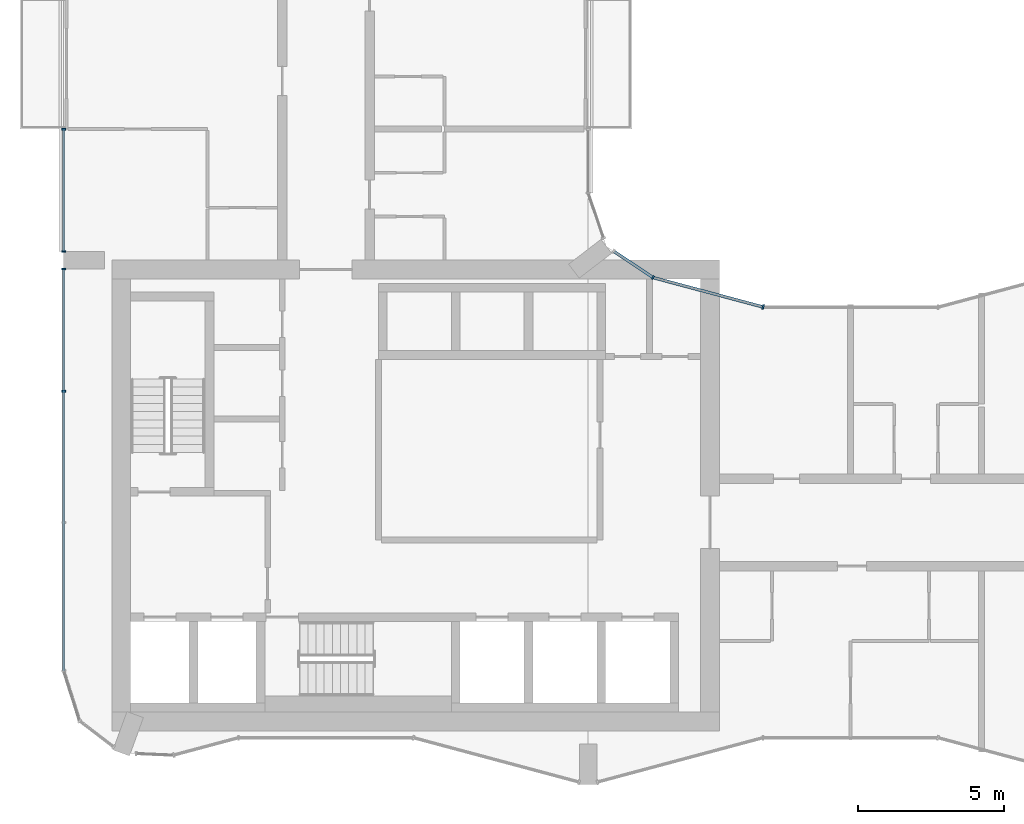
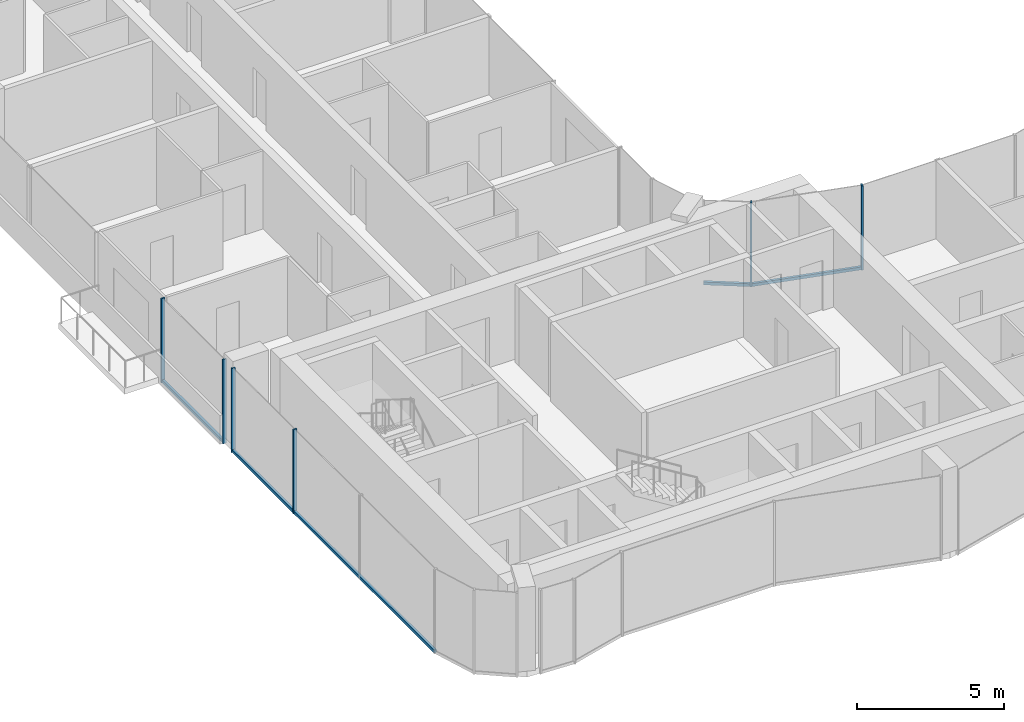
# One storey, part 3 of 22: 10 members, 4 elements without a shape of their own.
"""IFC4 building model written with IfcOpenShell, lengths in metres."""

import ifcopenshell
import ifcopenshell.guid

model = None  # the IFC model being written
_history = None  # IfcOwnerHistory: only IFC2X3 demands one
_inside = {}  # id of a spatial element -> (the spatial element, [elements in it])
_under = {}  # id of a project, library or spatial element -> (it, [spatial elements below it])
_declared = {}  # id of a project -> (the project, [libraries it declares])
_typed = {}  # id of a type object -> (the type object, [elements of that type])
_made_of = {}  # id of a material, layer set ... -> (it, [elements and type objects made of it])


def new_model(schema):
    """Start an empty IFC model of exactly this schema.

    Asked for "IFC4X3", IfcOpenShell would pick the latest addendum, in which some entities
    have other attributes; the version numbers below select the first issue.
    IFC2X3 requires an IfcOwnerHistory on every rooted entity: one is made here for all.
    """
    global model, _history
    if schema == "IFC4X3":
        model = ifcopenshell.file(schema_version=(4, 3, 0, 0))
    else:
        model = ifcopenshell.file(schema=schema)
    _inside.clear()
    _under.clear()
    _declared.clear()
    _typed.clear()
    _made_of.clear()
    _history = None
    if model.schema == "IFC2X3":
        org = make("IfcOrganization", Name="unknown")
        user = make(
            "IfcPersonAndOrganization",
            ThePerson=make("IfcPerson", FamilyName="unknown"),
            TheOrganization=org,
        )
        app = make(
            "IfcApplication",
            ApplicationDeveloper=org,
            Version="unknown",
            ApplicationFullName="unknown",
            ApplicationIdentifier="unknown",
        )
        _history = make(
            "IfcOwnerHistory",
            OwningUser=user,
            OwningApplication=app,
            ChangeAction="ADDED",
            CreationDate=0,
        )
    return model


def make(cls, **values):
    """One entity of the class cls with the attributes given. An attribute that is None is left unset."""
    return model.create_entity(
        cls, **{name: value for name, value in values.items() if value is not None}
    )


def rooted(cls, **values):
    """An entity with a GlobalId (a new one), such as an element, a storey or a relation."""
    return make(cls, GlobalId=ifcopenshell.guid.new(), OwnerHistory=_history, **values)


def si_unit(unit_type, name, prefix=None):
    """IfcSIUnit, for example si_unit("LENGTHUNIT", "METRE", prefix="MILLI")."""
    return make("IfcSIUnit", UnitType=unit_type, Prefix=prefix, Name=name)


def assignment(units):
    """IfcUnitAssignment: the units of a project."""
    return None if units is None else make("IfcUnitAssignment", Units=units)


def point(xyz):
    """IfcCartesianPoint."""
    return None if xyz is None else make("IfcCartesianPoint", Coordinates=xyz)


def direction(xyz):
    """IfcDirection."""
    return None if xyz is None else make("IfcDirection", DirectionRatios=xyz)


def frame(location, z_axis=None, x_axis=None):
    """IfcAxis2Placement3D, a coordinate frame: its origin and axes. An axis left out is left unset."""
    return make(
        "IfcAxis2Placement3D",
        Location=point(location),
        Axis=direction(z_axis),
        RefDirection=direction(x_axis),
    )


def frame_2d(location, x_axis=None):
    """IfcAxis2Placement2D, a coordinate frame in the plane: its origin and x axis."""
    return make(
        "IfcAxis2Placement2D", Location=point(location), RefDirection=direction(x_axis)
    )


def origin():
    """The frame at (0, 0, 0) with its axes left unset."""
    return frame((0.0, 0.0, 0.0))


def origin_2d():
    """The frame at (0, 0) in the plane with its x axis left unset."""
    return frame_2d((0.0, 0.0))


def place(relative_to, where):
    """IfcLocalPlacement: puts the frame where relative to a parent placement (None: the world)."""
    return make(
        "IfcLocalPlacement", PlacementRelTo=relative_to, RelativePlacement=where
    )


def context(
    kind, dimensions, precision=None, world=None, true_north=None, identifier=None
):
    """IfcGeometricRepresentationContext, for example the 3D "Model" context."""
    return make(
        "IfcGeometricRepresentationContext",
        ContextIdentifier=identifier,
        ContextType=kind,
        CoordinateSpaceDimension=dimensions,
        Precision=precision,
        WorldCoordinateSystem=world,
        TrueNorth=true_north,
    )


def subcontext(parent, identifier, kind, view, scale=None):
    """IfcGeometricRepresentationSubContext, for example "Body" below "Model"."""
    return make(
        "IfcGeometricRepresentationSubContext",
        ContextIdentifier=identifier,
        ContextType=kind,
        ParentContext=parent,
        TargetScale=scale,
        TargetView=view,
    )


def project(units=None, contexts=None):
    """IfcProject with its units and contexts."""
    return rooted(
        "IfcProject",
        Name="project",
        RepresentationContexts=contexts,
        UnitsInContext=assignment(units),
    )


def spatial(cls, under=None, at=None, **own):
    """A site, building, storey or space (cls), placed at a placement, below another one or the project."""
    s = rooted(cls, ObjectPlacement=at, **own)
    if under is not None:
        _under.setdefault(under.id(), (under, []))[1].append(s)
    return s


def profile(cls, at=None, kind="AREA", **sizes):
    """A parametric profile (cls). Its sizes go by their IFC names, for example OverallWidth=200.0."""
    return make(cls, ProfileType=kind, Position=at, **sizes)


def rectangle(**sizes):
    """IfcRectangleProfileDef."""
    return profile("IfcRectangleProfileDef", **sizes)


def extrude(swept, where, along, depth):
    """IfcExtrudedAreaSolid: the profile swept, set in the frame where, extruded along a direction by depth."""
    return make(
        "IfcExtrudedAreaSolid",
        SweptArea=swept,
        Position=where,
        ExtrudedDirection=direction(along),
        Depth=depth,
    )


def shape(context_of_items, identifier, shape_type, items):
    """IfcShapeRepresentation: the items that make up one representation, for example the "Body"."""
    return make(
        "IfcShapeRepresentation",
        ContextOfItems=context_of_items,
        RepresentationIdentifier=identifier,
        RepresentationType=shape_type,
        Items=items,
    )


def material(Name=None, Category=None):
    """IfcMaterial."""
    return make("IfcMaterial", Name=Name, Category=Category)


def layer(
    of_material, thickness, ventilated=None, Name=None, Category=None, Priority=None
):
    """IfcMaterialLayer: one layer of a wall or slab, of a material (None: an air gap)."""
    return make(
        "IfcMaterialLayer",
        Material=of_material,
        LayerThickness=thickness,
        IsVentilated=ventilated,
        Name=Name,
        Category=Category,
        Priority=Priority,
    )


def layer_set(layers, Name=None):
    """IfcMaterialLayerSet."""
    return make("IfcMaterialLayerSet", MaterialLayers=layers, LayerSetName=Name)


def material_profile(
    of_material, cross_section, Name=None, Category=None, Priority=None
):
    """IfcMaterialProfile: a cross section and its material."""
    return make(
        "IfcMaterialProfile",
        Name=Name,
        Material=of_material,
        Profile=cross_section,
        Priority=Priority,
        Category=Category,
    )


def profile_set(profiles, Name=None, composite=None):
    """IfcMaterialProfileSet."""
    return make(
        "IfcMaterialProfileSet",
        Name=Name,
        MaterialProfiles=profiles,
        CompositeProfile=composite,
    )


def made_of(thing, what):
    """Note that an element or type object is made of a material, layer set ...; save() writes the relation."""
    if what is not None:
        _made_of.setdefault(what.id(), (what, []))[1].append(thing)
    return thing


def type_object(cls, material=None, **own):
    """A type object (cls), such as IfcWallType, which elements share."""
    return made_of(rooted(cls, **own), material)


def element(
    cls,
    number,
    at=None,
    inside=None,
    cuts=None,
    type_object=None,
    material=None,
    context=None,
    identifier="Body",
    shape_type=None,
    held_by="IfcProductDefinitionShape",
    body=None,
    shapes=None,
    **own,
):
    """One element of the class cls, such as IfcWall. Its Tag is "e" and its number.

    at: its placement. inside: the storey or other place that contains it. cuts: it is an
    opening in that element (IfcRelVoidsElement). A single representation is given by context,
    identifier, shape_type and body (its items); several are given by shapes. held_by: the class
    of the entity that holds the representations. save() writes the other relations.
    """
    e = rooted(cls, Tag="e%d" % number, ObjectPlacement=at, **own)
    if body is not None:
        shapes = [shape(context, identifier, shape_type, body)]
    if shapes is not None:
        e.Representation = make(held_by, Representations=shapes)
    if inside is not None:
        _inside.setdefault(inside.id(), (inside, []))[1].append(e)
    if cuts is not None:
        rooted(
            "IfcRelVoidsElement", RelatingBuildingElement=cuts, RelatedOpeningElement=e
        )
    if type_object is not None:
        _typed.setdefault(type_object.id(), (type_object, []))[1].append(e)
    return made_of(e, material)


def aggregate(whole, parts):
    """IfcRelAggregates: a whole, such as a stair, and the parts it consists of."""
    return rooted("IfcRelAggregates", RelatingObject=whole, RelatedObjects=parts)


def save(model, path):
    """Write the relations noted so far, then the file.

    IfcRelAggregates (storeys below a building ...), IfcRelContainedInSpatialStructure (elements
    in a storey), IfcRelDefinesByType, IfcRelAssociatesMaterial and IfcRelDeclares: one each for
    every whole, place, type object, material and project.
    """
    for whole, parts in _under.values():
        aggregate(whole, parts)
    for where, things in _inside.values():
        rooted(
            "IfcRelContainedInSpatialStructure",
            RelatedElements=things,
            RelatingStructure=where,
        )
    for kind, things in _typed.values():
        rooted("IfcRelDefinesByType", RelatedObjects=things, RelatingType=kind)
    for what, things in _made_of.values():
        rooted("IfcRelAssociatesMaterial", RelatedObjects=things, RelatingMaterial=what)
    for by, libraries in _declared.values():
        rooted("IfcRelDeclares", RelatingContext=by, RelatedDefinitions=libraries)
    model.write(path)


model = new_model("IFC4")

# Units and contexts
model_context = context("Model", 3, precision=1e-05, world=origin(), true_north=direction((0.0, 1.0)))
body_context = subcontext(model_context, "Body", "Model", "MODEL_VIEW")
ifc_project = project(units=[si_unit("LENGTHUNIT", "METRE"), si_unit("AREAUNIT", "SQUARE_METRE"), si_unit("VOLUMEUNIT", "CUBIC_METRE"), si_unit("PLANEANGLEUNIT", "RADIAN"), si_unit("MASSUNIT", "GRAM", prefix="KILO")], contexts=[model_context])

# Site, building, storey
site_placement = place(None, origin())
site = spatial("IfcSite", under=ifc_project, at=site_placement, CompositionType="ELEMENT")
building_placement = place(site_placement, origin())
building = spatial("IfcBuilding", under=site, at=building_placement, Name="Plateau Cross Towers", CompositionType="ELEMENT")
storey_placement = place(building_placement, frame((0.0, 0.0, 109.800048828125)))
storey = spatial("IfcBuildingStorey", under=building, at=storey_placement, Name="L28", CompositionType="ELEMENT", Elevation=109.800048828125)

# Curtain wall, member
ifc_material_1 = material(Name="Dark low-iron glass", Category="glass")
ifc_layer_1 = layer(ifc_material_1, 0.239990234375)
ifc_layer_set_1 = layer_set([ifc_layer_1], Name="Dark low-iron glass")
curtain_wall_type_1 = type_object("IfcCurtainWallType", Name="Curtain wall flush unitised CW-B", PredefinedType="NOTDEFINED", material=ifc_layer_set_1)
curtain_wall_1_placement = place(storey_placement, origin())
curtain_wall_1 = element("IfcCurtainWall", 1, at=curtain_wall_1_placement, inside=storey, type_object=curtain_wall_type_1, Name="ENV/A/L28/A202_174", PredefinedType="NOTDEFINED")
ifc_material_2 = material(Name="Black anodised aluminium", Category="aluminium")
ifc_material_profile_1 = material_profile(ifc_material_2, rectangle(XDim=0.06005859375, YDim=0.139892578125, at=origin_2d()), Name="MULLION 60x140")
ifc_profile_set_1 = profile_set([ifc_material_profile_1], Name="Black anodised aluminium")
member_type_1 = type_object("IfcMemberType", Name="Mullion 60x140 flush unitised", PredefinedType="MULLION", material=ifc_profile_set_1)
member_1_placement = place(storey_placement, frame((20.223876953125, 17.404296875, -0.25), z_axis=(0.0, 0.0, 1.0), x_axis=(-0.831521253329, 0.555492938984, 0.0)))
member_1 = element("IfcMember", 2, at=member_1_placement, type_object=member_type_1, Name="CW-B mullion 1", PredefinedType="MULLION", context=body_context, shape_type="SweptSolid", body=[
    extrude(rectangle(XDim=0.06005859375, YDim=0.139892578125, at=origin_2d()), origin(), (0.0, 0.0, 1.0), 3.5),
])

# Curtain wall, members
curtain_wall_2_placement = place(storey_placement, origin())
curtain_wall_2 = element("IfcCurtainWall", 3, at=curtain_wall_2_placement, inside=storey, type_object=curtain_wall_type_1, Name="ENV/A/L28/A0_225", PredefinedType="NOTDEFINED")
member_2_placement = place(storey_placement, frame((0.0, 22.489990234375, -0.25), z_axis=(0.0, 0.0, 1.0), x_axis=(0.0, -1.0, 0.0)))
member_2 = element("IfcMember", 4, at=member_2_placement, type_object=member_type_1, Name="CW-B mullion 1", PredefinedType="MULLION", context=body_context, shape_type="SweptSolid", body=[
    extrude(rectangle(XDim=0.06005859375, YDim=0.139892578125, at=origin_2d()), origin(), (0.0, 0.0, 1.0), 3.5),
])
member_3_placement = place(storey_placement, frame((0.0, 18.300048828125, -0.25), z_axis=(0.0, 0.0, 1.0), x_axis=(0.0, -1.0, 0.0)))
member_3 = element("IfcMember", 5, at=member_3_placement, type_object=member_type_1, Name="CW-B mullion 2", PredefinedType="MULLION", context=body_context, shape_type="SweptSolid", body=[
    extrude(rectangle(XDim=0.06005859375, YDim=0.139892578125, at=origin_2d()), origin(), (0.0, 0.0, 1.0), 3.5),
])

curtain_wall_3_placement = place(storey_placement, origin())
curtain_wall_3 = element("IfcCurtainWall", 6, at=curtain_wall_3_placement, inside=storey, type_object=curtain_wall_type_1, Name="ENV/A/L28/A0_177", PredefinedType="NOTDEFINED")
member_4_placement = place(storey_placement, frame((0.0, 17.699951171875, -0.25), z_axis=(0.0, 0.0, 1.0), x_axis=(0.0, -1.0, 0.0)))
member_4 = element("IfcMember", 7, at=member_4_placement, type_object=member_type_1, Name="CW-B mullion 1", PredefinedType="MULLION", context=body_context, shape_type="SweptSolid", body=[
    extrude(rectangle(XDim=0.06005859375, YDim=0.139892578125, at=origin_2d()), origin(), (0.0, 0.0, 1.0), 3.5),
])
member_5_placement = place(storey_placement, frame((0.0, 13.5, -0.25), z_axis=(0.0, 0.0, 1.0), x_axis=(0.0, -1.0, 0.0)))
member_5 = element("IfcMember", 8, at=member_5_placement, type_object=member_type_1, Name="CW-B mullion 2", PredefinedType="MULLION", context=body_context, shape_type="SweptSolid", body=[
    extrude(rectangle(XDim=0.06005859375, YDim=0.139892578125, at=origin_2d()), origin(), (0.0, 0.0, 1.0), 3.5),
])

# Curtain wall, member
ifc_layer_2 = layer(ifc_material_1, 0.260009765625)
ifc_layer_set_2 = layer_set([ifc_layer_2], Name="Dark low-iron glass")
curtain_wall_type_2 = type_object("IfcCurtainWallType", Name="Curtain wall fluted unitised CW-A", PredefinedType="NOTDEFINED", material=ifc_layer_set_2)
curtain_wall_4_placement = place(storey_placement, origin())
curtain_wall_4 = element("IfcCurtainWall", 9, at=curtain_wall_4_placement, inside=storey, type_object=curtain_wall_type_2, Name="ENV/A/L28/A240_164", PredefinedType="NOTDEFINED")
ifc_material_profile_2 = material_profile(ifc_material_2, rectangle(XDim=0.06005859375, YDim=0.159912109375, at=origin_2d()), Name="MULLION 60x160")
ifc_profile_set_2 = profile_set([ifc_material_profile_2], Name="Black anodised aluminium")
member_type_2 = type_object("IfcMemberType", Name="Mullion 60x160 fluted unitised", PredefinedType="MULLION", material=ifc_profile_set_2)
member_6_placement = place(storey_placement, frame((24.0, 16.39306640625, -0.25), z_axis=(0.0, 0.0, 1.0), x_axis=(-0.965957995816, 0.258698956933, 0.0)))
member_6 = element("IfcMember", 10, at=member_6_placement, type_object=member_type_2, Name="CW-A mullion 1", PredefinedType="MULLION", context=body_context, shape_type="SweptSolid", body=[
    extrude(rectangle(XDim=0.06005859375, YDim=0.159912109375, at=origin_2d()), origin(), (0.0, 0.0, 1.0), 3.5),
])

# Member
ifc_material_profile_3 = material_profile(ifc_material_2, rectangle(XDim=0.10009765625, YDim=0.1201171875, at=origin_2d()), Name="TRANSOM 100x120")
ifc_profile_set_3 = profile_set([ifc_material_profile_3], Name="Black anodised aluminium")
member_type_3 = type_object("IfcMemberType", Name="Transom 100x120 flush unitised", PredefinedType="USERDEFINED", material=ifc_profile_set_3)
member_7_placement = place(storey_placement, frame((20.223876953125, 17.404296875, -0.18994140625), z_axis=(-0.831496402487, 0.555530136582, 0.0), x_axis=(-0.555530136582, -0.831496402487, 0.0)))
member_7 = element("IfcMember", 11, at=member_7_placement, type_object=member_type_3, Name="CW-B transom", ObjectType="TRANSOM", PredefinedType="USERDEFINED", context=body_context, shape_type="SweptSolid", body=[
    extrude(rectangle(XDim=0.10009765625, YDim=0.1201171875, at=origin_2d()), origin(), (0.0, 0.0, 1.0), 1.628662109375),
])

aggregate(curtain_wall_1, [member_1, member_7])

member_8_placement = place(storey_placement, frame((0.0, 22.489990234375, -0.18994140625), z_axis=(0.0, -1.0, 0.0), x_axis=(1.0, 0.0, 0.0)))
member_8 = element("IfcMember", 12, at=member_8_placement, type_object=member_type_3, Name="CW-B transom", ObjectType="TRANSOM", PredefinedType="USERDEFINED", context=body_context, shape_type="SweptSolid", body=[
    extrude(rectangle(XDim=0.10009765625, YDim=0.1201171875, at=origin_2d()), origin(), (0.0, 0.0, 1.0), 4.18994140625),
])

aggregate(curtain_wall_2, [member_2, member_3, member_8])

member_9_placement = place(storey_placement, frame((0.0, 17.699951171875, -0.18994140625), z_axis=(0.0, -1.0, 0.0), x_axis=(1.0, 0.0, 0.0)))
member_9 = element("IfcMember", 13, at=member_9_placement, type_object=member_type_3, Name="CW-B transom", ObjectType="TRANSOM", PredefinedType="USERDEFINED", context=body_context, shape_type="SweptSolid", body=[
    extrude(rectangle(XDim=0.10009765625, YDim=0.1201171875, at=origin_2d()), origin(), (0.0, 0.0, 1.0), 13.790771484375),
])

aggregate(curtain_wall_3, [member_4, member_5, member_9])

ifc_material_profile_4 = material_profile(ifc_material_2, rectangle(XDim=0.10009765625, YDim=0.1201171875, at=origin_2d()), Name="TRANSOM 100x120")
ifc_profile_set_4 = profile_set([ifc_material_profile_4], Name="Black anodised aluminium")
member_type_4 = type_object("IfcMemberType", Name="Transom 100x120 fluted unitised", PredefinedType="USERDEFINED", material=ifc_profile_set_4)
member_10_placement = place(storey_placement, frame((24.0, 16.39306640625, -0.18994140625), z_axis=(-0.965962822393, 0.25868093427, 0.0), x_axis=(-0.25868093427, -0.965962822393, 0.0)))
member_10 = element("IfcMember", 14, at=member_10_placement, type_object=member_type_4, Name="CW-A transom", ObjectType="TRANSOM", PredefinedType="USERDEFINED", context=body_context, shape_type="SweptSolid", body=[
    extrude(rectangle(XDim=0.10009765625, YDim=0.1201171875, at=origin_2d()), origin(), (0.0, 0.0, 1.0), 3.9091796875),
])

aggregate(curtain_wall_4, [member_6, member_10])

save(model, "model.ifc")
